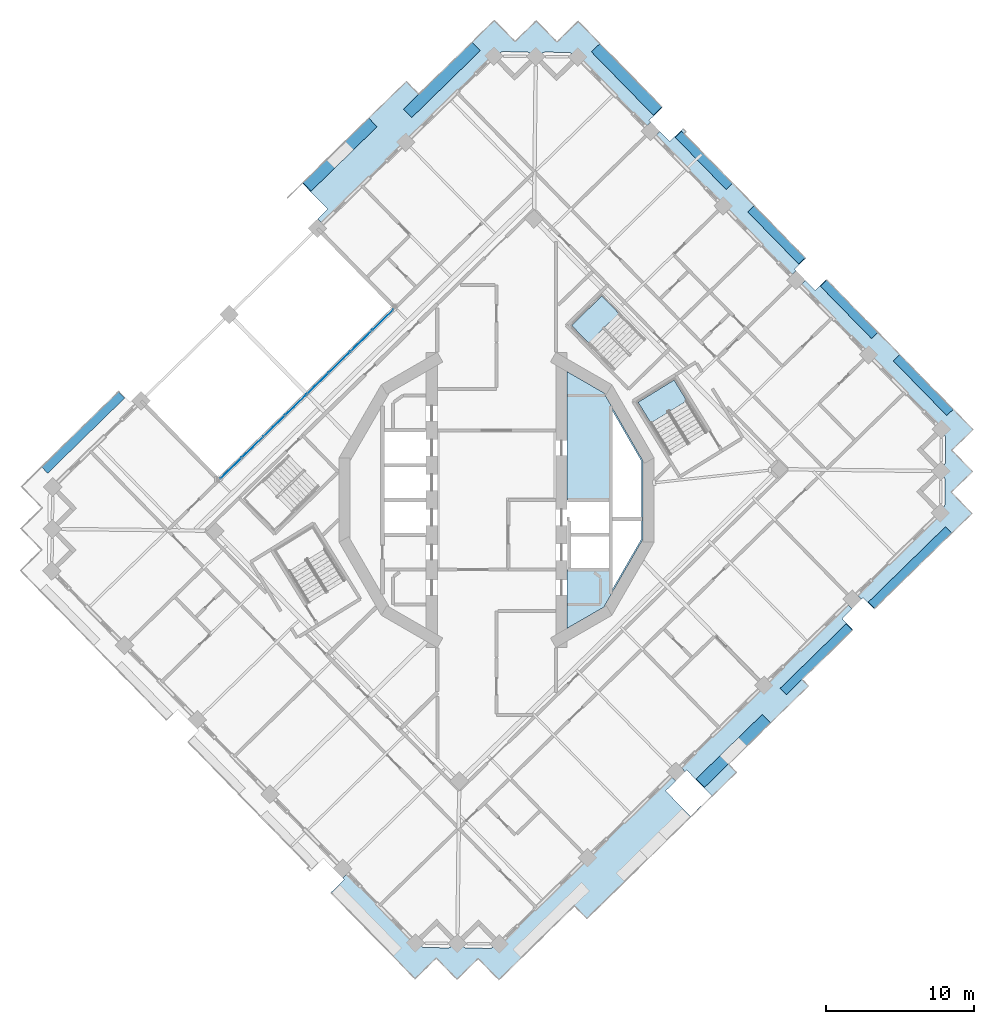
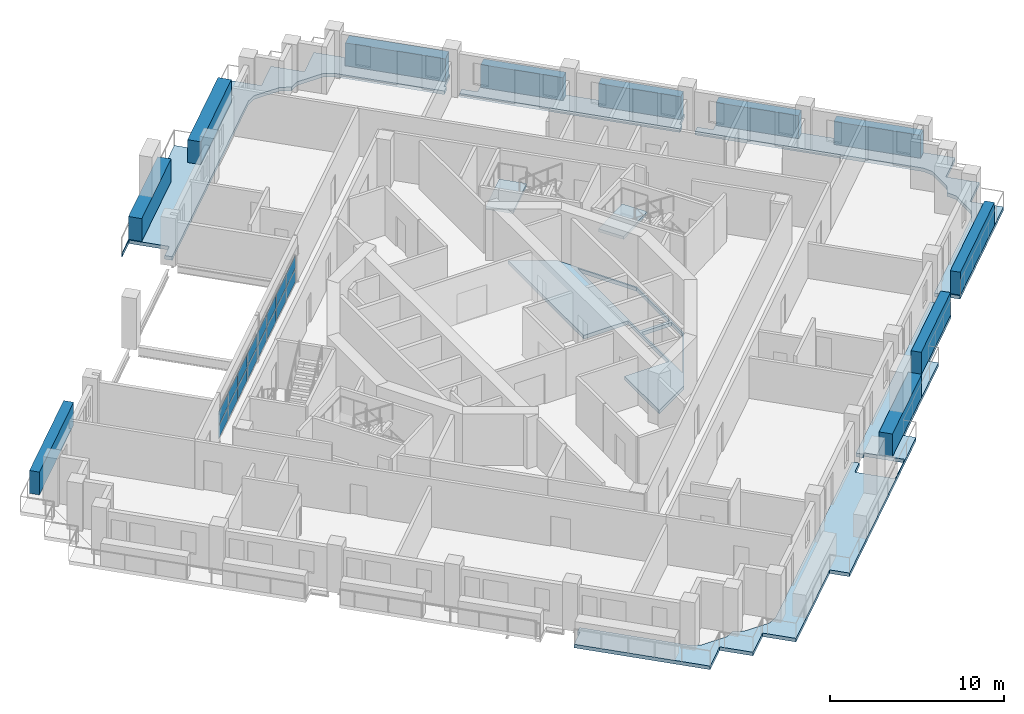
# One storey, part 6 of 21: 27 plates, 7 slabs, 3 elements without a shape of their own.
"""IFC4 building model written with IfcOpenShell, lengths in metres."""

from ifc_helpers import new_model, si_unit, direction, frame, origin, origin_2d, place, context, subcontext, project, spatial, polyline, rectangle, outline, extrude, material, layer, layer_set, type_object, element, aggregate, save


model = new_model("IFC4")

# Units and contexts
model_context = context("Model", 3, precision=1e-05, world=origin(), true_north=direction((0.0, 1.0)))
body_context = subcontext(model_context, "Body", "Model", "MODEL_VIEW")
ifc_project = project(units=[si_unit("LENGTHUNIT", "METRE"), si_unit("AREAUNIT", "SQUARE_METRE"), si_unit("VOLUMEUNIT", "CUBIC_METRE"), si_unit("PLANEANGLEUNIT", "RADIAN"), si_unit("MASSUNIT", "GRAM", prefix="KILO")], contexts=[model_context])

# Site, building, storey
site_placement = place(None, origin())
site = spatial("IfcSite", under=ifc_project, at=site_placement, CompositionType="ELEMENT")
building_placement = place(site_placement, origin())
building = spatial("IfcBuilding", under=site, at=building_placement, Name="Cantera Rosa Tower", CompositionType="ELEMENT")
storey_placement = place(building_placement, frame((0.0, 0.0, 230.60009765625)))
storey = spatial("IfcBuildingStorey", under=building, at=storey_placement, Name="L50", CompositionType="ELEMENT", Elevation=230.60009765625)

# Slab
ifc_material_1 = material(Name="Concrete C35/45", Category="concrete")
ifc_layer_1 = layer(ifc_material_1, 0.25)
ifc_layer_set_1 = layer_set([ifc_layer_1], Name="COMPOSITE FLOOR SLAB 250 C35/45")
slab_type_1 = type_object("IfcSlabType", Name="COMPOSITE FLOOR SLAB 250 C35/45", PredefinedType="FLOOR", material=ifc_layer_set_1)
slab_1_placement = place(storey_placement, frame((0.0, 0.0, -0.25)))
element("IfcSlab", 1, at=slab_1_placement, inside=storey, type_object=slab_type_1, Name="SLAB L50 floor 3", PredefinedType="FLOOR", context=body_context, shape_type="SweptSolid", body=[
    extrude(outline(polyline([(7.699951171875, 0.0), (4.75, 0.0), (4.75, 8.660400390625), (7.22900390625, 7.22900390625), (9.875244140625, 2.64599609375), (9.875244140625, -2.64599609375), (7.22900390625, -7.22900390625), (4.75, -8.660400390625), (4.75, -4.699951171875), (7.699951171875, -4.699951171875), (7.699951171875, -2.35009765625), (7.699951171875, 0.0)]), holes=[polyline([(9.775146484375, -1.3828125), (7.800048828125, -1.3828125), (7.800048828125, -2.25), (7.800048828125, -2.449951171875), (7.800048828125, -6.040283203125), (9.775146484375, -2.619384765625), (9.775146484375, -1.3828125)]), polyline([(9.775146484375, 2.619384765625), (7.800048828125, 6.040283203125), (7.800048828125, 2.449951171875), (7.800048828125, 2.25), (7.800048828125, -1.1826171875), (9.775146484375, -1.1826171875), (9.775146484375, 2.619384765625)])]), origin(), (0.0, 0.0, 1.0), 0.25),
])

# Curtain wall, plates
ifc_material_2 = material(Name="Aluminium frame with clear glass", Category="aluminium")
curtain_wall_type = type_object("IfcCurtainWallType", Name="CW1 TERRACE POCKET GLAZING", PredefinedType="NOTDEFINED", material=ifc_material_2)
curtain_wall_placement = place(storey_placement, origin())
curtain_wall = element("IfcCurtainWall", 2, at=curtain_wall_placement, inside=storey, type_object=curtain_wall_type, Name="CW1 CW1", PredefinedType="NOTDEFINED")
ifc_material_3 = material(Name="Aluminium frame with clear glass", Category="aluminium")
ifc_layer_2 = layer(ifc_material_3, 0.028076171875)
ifc_layer_set_2 = layer_set([ifc_layer_2], Name="CW-PANEL POCKET")
plate_type_1 = type_object("IfcPlateType", Name="CW-PANEL POCKET", PredefinedType="CURTAIN_PANEL", material=ifc_layer_set_2)
plate_1_placement = place(storey_placement, frame((-7.67578125, 12.143310546875, 0.06005859375), z_axis=(0.0, 0.0, 1.0), x_axis=(-0.715286291034, -0.698831540401, 0.0)))
plate_1 = element("IfcPlate", 3, at=plate_1_placement, type_object=plate_type_1, Name="CW1 panel 1.1", PredefinedType="CURTAIN_PANEL", context=body_context, shape_type="SweptSolid", body=[
    extrude(rectangle(XDim=1.958740234375, YDim=0.028076171875, at=origin_2d()), origin(), (0.0, 0.0, 1.0), 0.904052734375),
])
plate_2_placement = place(storey_placement, frame((-7.67578125, 12.143310546875, 1.02392578125), z_axis=(0.0, 0.0, 1.0), x_axis=(-0.715286291034, -0.698831540401, 0.0)))
plate_2 = element("IfcPlate", 4, at=plate_2_placement, type_object=plate_type_1, Name="CW1 panel 1.2", PredefinedType="CURTAIN_PANEL", context=body_context, shape_type="SweptSolid", body=[
    extrude(rectangle(XDim=1.958740234375, YDim=0.028076171875, at=origin_2d()), origin(), (0.0, 0.0, 1.0), 0.904052734375),
])
plate_3_placement = place(storey_placement, frame((-9.130615234375, 10.721923828125, 0.06005859375), z_axis=(0.0, 0.0, 1.0), x_axis=(-0.715286291034, -0.698831540401, 0.0)))
plate_3 = element("IfcPlate", 5, at=plate_3_placement, type_object=plate_type_1, Name="CW1 panel 2.1", PredefinedType="CURTAIN_PANEL", context=body_context, shape_type="SweptSolid", body=[
    extrude(rectangle(XDim=1.98876953125, YDim=0.028076171875, at=origin_2d()), origin(), (0.0, 0.0, 1.0), 0.904052734375),
])
plate_4_placement = place(storey_placement, frame((-9.130615234375, 10.721923828125, 1.02392578125), z_axis=(0.0, 0.0, 1.0), x_axis=(-0.715286291034, -0.698831540401, 0.0)))
plate_4 = element("IfcPlate", 6, at=plate_4_placement, type_object=plate_type_1, Name="CW1 panel 2.2", PredefinedType="CURTAIN_PANEL", context=body_context, shape_type="SweptSolid", body=[
    extrude(rectangle(XDim=1.98876953125, YDim=0.028076171875, at=origin_2d()), origin(), (0.0, 0.0, 1.0), 0.904052734375),
])
plate_5_placement = place(storey_placement, frame((-10.595947265625, 9.290283203125, 0.06005859375), z_axis=(0.0, 0.0, 1.0), x_axis=(-0.715286291034, -0.698831540401, 0.0)))
plate_5 = element("IfcPlate", 7, at=plate_5_placement, type_object=plate_type_1, Name="CW1 panel 3.1", PredefinedType="CURTAIN_PANEL", context=body_context, shape_type="SweptSolid", body=[
    extrude(rectangle(XDim=1.98876953125, YDim=0.028076171875, at=origin_2d()), origin(), (0.0, 0.0, 1.0), 0.904052734375),
])
plate_6_placement = place(storey_placement, frame((-10.595947265625, 9.290283203125, 1.02392578125), z_axis=(0.0, 0.0, 1.0), x_axis=(-0.715286291034, -0.698831540401, 0.0)))
plate_6 = element("IfcPlate", 8, at=plate_6_placement, type_object=plate_type_1, Name="CW1 panel 3.2", PredefinedType="CURTAIN_PANEL", context=body_context, shape_type="SweptSolid", body=[
    extrude(rectangle(XDim=1.98876953125, YDim=0.028076171875, at=origin_2d()), origin(), (0.0, 0.0, 1.0), 0.904052734375),
])
plate_7_placement = place(storey_placement, frame((-12.0615234375, 7.8583984375, 0.06005859375), z_axis=(0.0, 0.0, 1.0), x_axis=(-0.715286291034, -0.698831540401, 0.0)))
plate_7 = element("IfcPlate", 9, at=plate_7_placement, type_object=plate_type_1, Name="CW1 panel 4.1", PredefinedType="CURTAIN_PANEL", context=body_context, shape_type="SweptSolid", body=[
    extrude(rectangle(XDim=1.98876953125, YDim=0.028076171875, at=origin_2d()), origin(), (0.0, 0.0, 1.0), 0.904052734375),
])
plate_8_placement = place(storey_placement, frame((-12.0615234375, 7.8583984375, 1.02392578125), z_axis=(0.0, 0.0, 1.0), x_axis=(-0.715286291034, -0.698831540401, 0.0)))
plate_8 = element("IfcPlate", 10, at=plate_8_placement, type_object=plate_type_1, Name="CW1 panel 4.2", PredefinedType="CURTAIN_PANEL", context=body_context, shape_type="SweptSolid", body=[
    extrude(rectangle(XDim=1.98876953125, YDim=0.028076171875, at=origin_2d()), origin(), (0.0, 0.0, 1.0), 0.904052734375),
])
plate_9_placement = place(storey_placement, frame((-13.52685546875, 6.4267578125, 0.06005859375), z_axis=(0.0, 0.0, 1.0), x_axis=(-0.715286291034, -0.698831540401, 0.0)))
plate_9 = element("IfcPlate", 11, at=plate_9_placement, type_object=plate_type_1, Name="CW1 panel 5.1", PredefinedType="CURTAIN_PANEL", context=body_context, shape_type="SweptSolid", body=[
    extrude(rectangle(XDim=1.98876953125, YDim=0.028076171875, at=origin_2d()), origin(), (0.0, 0.0, 1.0), 0.904052734375),
])
plate_10_placement = place(storey_placement, frame((-13.52685546875, 6.4267578125, 1.02392578125), z_axis=(0.0, 0.0, 1.0), x_axis=(-0.715286291034, -0.698831540401, 0.0)))
plate_10 = element("IfcPlate", 12, at=plate_10_placement, type_object=plate_type_1, Name="CW1 panel 5.2", PredefinedType="CURTAIN_PANEL", context=body_context, shape_type="SweptSolid", body=[
    extrude(rectangle(XDim=1.98876953125, YDim=0.028076171875, at=origin_2d()), origin(), (0.0, 0.0, 1.0), 0.904052734375),
])
plate_11_placement = place(storey_placement, frame((-14.992431640625, 4.9951171875, 0.06005859375), z_axis=(0.0, 0.0, 1.0), x_axis=(-0.715286291034, -0.698831540401, 0.0)))
plate_11 = element("IfcPlate", 13, at=plate_11_placement, type_object=plate_type_1, Name="CW1 panel 6.1", PredefinedType="CURTAIN_PANEL", context=body_context, shape_type="SweptSolid", body=[
    extrude(rectangle(XDim=1.98876953125, YDim=0.028076171875, at=origin_2d()), origin(), (0.0, 0.0, 1.0), 0.904052734375),
])
plate_12_placement = place(storey_placement, frame((-14.992431640625, 4.9951171875, 1.02392578125), z_axis=(0.0, 0.0, 1.0), x_axis=(-0.715286291034, -0.698831540401, 0.0)))
plate_12 = element("IfcPlate", 14, at=plate_12_placement, type_object=plate_type_1, Name="CW1 panel 6.2", PredefinedType="CURTAIN_PANEL", context=body_context, shape_type="SweptSolid", body=[
    extrude(rectangle(XDim=1.98876953125, YDim=0.028076171875, at=origin_2d()), origin(), (0.0, 0.0, 1.0), 0.904052734375),
])
plate_13_placement = place(storey_placement, frame((-16.457763671875, 3.563232421875, 0.06005859375), z_axis=(0.0, 0.0, 1.0), x_axis=(-0.715286291034, -0.698831540401, 0.0)))
plate_13 = element("IfcPlate", 15, at=plate_13_placement, type_object=plate_type_1, Name="CW1 panel 7.1", PredefinedType="CURTAIN_PANEL", context=body_context, shape_type="SweptSolid", body=[
    extrude(rectangle(XDim=1.98876953125, YDim=0.028076171875, at=origin_2d()), origin(), (0.0, 0.0, 1.0), 0.904052734375),
])
plate_14_placement = place(storey_placement, frame((-16.457763671875, 3.563232421875, 1.02392578125), z_axis=(0.0, 0.0, 1.0), x_axis=(-0.715286291034, -0.698831540401, 0.0)))
plate_14 = element("IfcPlate", 16, at=plate_14_placement, type_object=plate_type_1, Name="CW1 panel 7.2", PredefinedType="CURTAIN_PANEL", context=body_context, shape_type="SweptSolid", body=[
    extrude(rectangle(XDim=1.98876953125, YDim=0.028076171875, at=origin_2d()), origin(), (0.0, 0.0, 1.0), 0.904052734375),
])
plate_15_placement = place(storey_placement, frame((-17.91259765625, 2.14208984375, 0.06005859375), z_axis=(0.0, 0.0, 1.0), x_axis=(-0.715286291034, -0.698831540401, 0.0)))
plate_15 = element("IfcPlate", 17, at=plate_15_placement, type_object=plate_type_1, Name="CW1 panel 8.1", PredefinedType="CURTAIN_PANEL", context=body_context, shape_type="SweptSolid", body=[
    extrude(rectangle(XDim=1.958740234375, YDim=0.028076171875, at=origin_2d()), origin(), (0.0, 0.0, 1.0), 0.904052734375),
])
plate_16_placement = place(storey_placement, frame((-17.91259765625, 2.14208984375, 1.02392578125), z_axis=(0.0, 0.0, 1.0), x_axis=(-0.715286291034, -0.698831540401, 0.0)))
plate_16 = element("IfcPlate", 18, at=plate_16_placement, type_object=plate_type_1, Name="CW1 panel 8.2", PredefinedType="CURTAIN_PANEL", context=body_context, shape_type="SweptSolid", body=[
    extrude(rectangle(XDim=1.958740234375, YDim=0.028076171875, at=origin_2d()), origin(), (0.0, 0.0, 1.0), 0.904052734375),
])
aggregate(curtain_wall, [plate_1, plate_2, plate_3, plate_4, plate_5, plate_6, plate_7, plate_8, plate_9, plate_10, plate_11, plate_12, plate_13, plate_14, plate_15, plate_16])

# Slabs
ifc_material_4 = material(Name="Concrete C35/45", Category="concrete")
ifc_layer_3 = layer(ifc_material_4, 0.25)
ifc_layer_set_3 = layer_set([ifc_layer_3], Name="LOGGIA SLAB 250 C35/45")
slab_type_2 = type_object("IfcSlabType", Name="LOGGIA SLAB 250 C35/45", PredefinedType="FLOOR", material=ifc_layer_set_3)
slab_2_placement = place(storey_placement, frame((0.0, 0.0, -0.25)))
element("IfcSlab", 19, at=slab_2_placement, inside=storey, type_object=slab_type_2, Name="LOGGIA SLAB L50 3", PredefinedType="FLOOR", context=body_context, shape_type="SweptSolid", body=[
    extrude(outline(polyline([(-5.25, 27.375), (-1.369873046875, 31.166015625), (-0.15380859375, 32.35400390625), (1.0341796875, 31.13818359375), (1.243896484375, 30.923583984375), (1.45849609375, 31.13330078125), (2.67431640625, 32.3212890625), (3.8623046875, 31.105224609375), (4.072021484375, 30.890625), (4.28662109375, 31.100341796875), (5.502685546875, 32.288330078125), (6.690673828125, 31.072265625), (11.177001953125, 26.480224609375), (10.282958984375, 25.606689453125), (10.3876953125, 25.499267578125), (10.06591796875, 25.184814453125), (5.474609375, 29.88427734375), (4.982666015625, 30.154541015625), (4.956298828125, 30.16748046875), (4.9287109375, 30.177734375), (4.900146484375, 30.185302734375), (4.87109375, 30.18994140625), (4.841796875, 30.191650390625), (3.2861328125, 30.209716796875), (3.2568359375, 30.208740234375), (3.2275390625, 30.20458984375), (3.198974609375, 30.197998046875), (3.171142578125, 30.188232421875), (3.144287109375, 30.176025390625), (2.646484375, 29.917236328125), (2.154541015625, 30.1875), (2.1279296875, 30.200439453125), (2.100341796875, 30.210693359375), (2.072021484375, 30.218017578125), (2.04296875, 30.222900390625), (2.013427734375, 30.224609375), (0.4580078125, 30.24267578125), (0.4287109375, 30.24169921875), (0.3994140625, 30.237548828125), (0.37060546875, 30.230712890625), (0.343017578125, 30.22119140625), (0.316162109375, 30.208984375), (-0.181884765625, 29.9501953125), (-0.883056640625, 29.26513671875), (-11.76220703125, 18.635986328125), (-12.076904296875, 18.9580078125), (-11.397216796875, 19.621826171875), (-13.074462890625, 21.33837890625), (-14.075927734375, 20.360107421875), (-14.107421875, 20.392578125), (-6.08544921875, 28.22998046875), (-5.25, 27.375)])), origin(), (0.0, 0.0, 1.0), 0.25),
])
slab_3_placement = place(storey_placement, frame((0.0, 0.0, -0.25)))
element("IfcSlab", 20, at=slab_3_placement, inside=storey, type_object=slab_type_2, Name="LOGGIA SLAB L50 4", PredefinedType="FLOOR", context=body_context, shape_type="SweptSolid", body=[
    extrude(outline(polyline([(1.369873046875, -31.166015625), (0.15380859375, -32.35400390625), (-1.0341796875, -31.13818359375), (-1.243896484375, -30.923583984375), (-1.45849609375, -31.13330078125), (-2.67431640625, -32.3212890625), (-3.8623046875, -31.105224609375), (-4.072021484375, -30.890625), (-4.28662109375, -31.100341796875), (-5.502685546875, -32.288330078125), (-6.690673828125, -31.072265625), (-11.177001953125, -26.480224609375), (-10.282958984375, -25.606689453125), (-10.3876953125, -25.499267578125), (-10.06591796875, -25.184814453125), (-5.474609375, -29.88427734375), (-4.982666015625, -30.154541015625), (-4.956298828125, -30.16748046875), (-4.9287109375, -30.177734375), (-4.900146484375, -30.185302734375), (-4.87109375, -30.18994140625), (-4.841796875, -30.191650390625), (-3.2861328125, -30.209716796875), (-3.2568359375, -30.208740234375), (-3.2275390625, -30.20458984375), (-3.198974609375, -30.197998046875), (-3.171142578125, -30.188232421875), (-3.144287109375, -30.176025390625), (-2.646484375, -29.917236328125), (-2.154541015625, -30.1875), (-2.1279296875, -30.200439453125), (-2.100341796875, -30.210693359375), (-2.072021484375, -30.218017578125), (-2.04296875, -30.222900390625), (-2.013427734375, -30.224609375), (-0.4580078125, -30.24267578125), (-0.4287109375, -30.24169921875), (-0.3994140625, -30.237548828125), (-0.37060546875, -30.230712890625), (-0.343017578125, -30.22119140625), (-0.316162109375, -30.208984375), (0.181884765625, -29.9501953125), (0.883056640625, -29.26513671875), (11.76220703125, -18.635986328125), (12.076904296875, -18.9580078125), (11.397216796875, -19.621826171875), (13.074462890625, -21.33837890625), (14.505126953125, -19.94091796875), (12.827880859375, -18.22412109375), (12.720703125, -18.3291015625), (12.406005859375, -18.007080078125), (23.664794921875, -7.007568359375), (23.979248046875, -7.329345703125), (23.2998046875, -7.9931640625), (24.035888671875, -8.746826171875), (20.601806640625, -12.101806640625), (21.031982421875, -12.5419921875), (15.635986328125, -17.81396484375), (16.178466796875, -18.369140625), (6.08544921875, -28.22998046875), (5.25, -27.375), (1.369873046875, -31.166015625)])), origin(), (0.0, 0.0, 1.0), 0.25),
])
slab_4_placement = place(storey_placement, frame((0.0, 0.0, -0.25)))
element("IfcSlab", 21, at=slab_4_placement, inside=storey, type_object=slab_type_2, Name="LOGGIA SLAB L50 5", PredefinedType="FLOOR", context=body_context, shape_type="SweptSolid", body=[
    extrude(outline(polyline([(17.42724609375, 19.81689453125), (17.417236328125, 19.806884765625), (20.216796875, 16.94140625), (20.845703125, 16.2978515625), (20.094482421875, 15.56396484375), (20.199462890625, 15.456787109375), (19.87744140625, 15.14208984375), (10.69482421875, 24.541015625), (11.016845703125, 24.855712890625), (11.6806640625, 24.176025390625), (12.57470703125, 25.049560546875), (12.784423828125, 24.8349609375), (12.6513671875, 24.705078125), (17.42724609375, 19.81689453125)])), origin(), (0.0, 0.0, 1.0), 0.25),
])
slab_5_placement = place(storey_placement, frame((0.0, 0.0, -0.25)))
element("IfcSlab", 22, at=slab_5_placement, inside=storey, type_object=slab_type_2, Name="LOGGIA SLAB L50 6", PredefinedType="FLOOR", context=body_context, shape_type="SweptSolid", body=[
    extrude(outline(polyline([(27.218994140625, 9.7744140625), (31.076416015625, 5.825927734375), (32.124755859375, 4.753173828125), (31.0517578125, 3.704833984375), (30.694091796875, 3.35546875), (31.043701171875, 2.997802734375), (32.091796875, 1.9248046875), (31.018798828125, 0.876708984375), (30.661376953125, 0.527099609375), (31.0107421875, 0.16943359375), (32.05908203125, -0.9033203125), (30.986083984375, -1.95166015625), (26.110107421875, -6.71533203125), (26.11279296875, -6.7177734375), (25.46630859375, -7.34912109375), (24.730224609375, -6.595703125), (24.622802734375, -6.700439453125), (24.30859375, -6.37841796875), (29.937744140625, -0.878662109375), (30.2080078125, -0.386962890625), (30.220947265625, -0.3603515625), (30.231201171875, -0.332763671875), (30.23876953125, -0.30419921875), (30.243408203125, -0.275146484375), (30.2451171875, -0.245849609375), (30.26318359375, 1.309814453125), (30.26220703125, 1.339111328125), (30.25830078125, 1.368408203125), (30.25146484375, 1.39697265625), (30.24169921875, 1.4248046875), (30.2294921875, 1.451416015625), (29.970703125, 1.949462890625), (30.240966796875, 2.44140625), (30.25390625, 2.4677734375), (30.26416015625, 2.495361328125), (30.271484375, 2.52392578125), (30.2763671875, 2.552978515625), (30.278076171875, 2.58251953125), (30.296142578125, 4.137939453125), (30.295166015625, 4.167236328125), (30.291015625, 4.196533203125), (30.2841796875, 4.22509765625), (30.274658203125, 4.2529296875), (30.262451171875, 4.27978515625), (30.003662109375, 4.777587890625), (20.506591796875, 14.49853515625), (20.828369140625, 14.81298828125), (21.4921875, 14.13330078125), (22.243408203125, 14.8671875), (22.313232421875, 14.795654296875), (25.12255859375, 11.920166015625), (27.218994140625, 9.7744140625)])), origin(), (0.0, 0.0, 1.0), 0.25),
])

# Plates
ifc_material_5 = material(Name="Cantera stone planter with soil", Category="masonry")
plate_type_2 = type_object("IfcPlateType", Name="PLANTER 600", PredefinedType="USERDEFINED", material=ifc_material_5)
plate_17_placement = place(storey_placement, frame((28.77587890625, 7.75146484375, -0.000244140625), z_axis=(0.0, 0.0, 1.0), x_axis=(-0.698831540364, 0.71528629107, 0.0)))
element("IfcPlate", 23, at=plate_17_placement, inside=storey, type_object=plate_type_2, Name="PLANTER L50-01", ObjectType="PLANTER", PredefinedType="USERDEFINED", context=body_context, shape_type="SweptSolid", body=[
    extrude(rectangle(XDim=5.169921875, YDim=0.60009765625, at=origin_2d()), origin(), (0.0, 0.0, 1.0), 1.60009765625),
])
for number, where, z_axis, x_axis, name in (
    (24, (23.78271484375, 12.8623046875, -0.000244140625), (0.0, 0.0, 1.0), (-0.698831540364, 0.71528629107, 0.0), "PLANTER L50-02"),
    (25, (18.876953125, 17.883544921875, -0.000244140625), (0.0, 0.0, 1.0), (-0.698831540364, 0.71528629107, 0.0), "PLANTER L50-03"),
    (26, (13.981201171875, 22.91455078125, -0.000244140625), (0.0, 0.0, 1.0), (-0.698831540364, 0.71528629107, 0.0), "PLANTER L50-04"),
):
    element("IfcPlate", number, at=place(storey_placement, frame(where, z_axis=z_axis, x_axis=x_axis)), inside=storey, type_object=plate_type_2, Name=name, ObjectType="PLANTER", PredefinedType="USERDEFINED", context=body_context, shape_type="SweptSolid", body=[
        extrude(rectangle(XDim=4.919921875, YDim=0.60009765625, at=origin_2d()), origin(), (0.0, 0.0, 1.0), 1.60009765625),
    ])
plate_18_placement = place(storey_placement, frame((-27.89013671875, 4.556884765625, -0.000244140625), z_axis=(0.0, 0.0, 1.0), x_axis=(-0.71528629107, -0.698831540364, 0.0)))
element("IfcPlate", 27, at=plate_18_placement, inside=storey, type_object=plate_type_2, Name="PLANTER L50-10", ObjectType="PLANTER", PredefinedType="USERDEFINED", context=body_context, shape_type="SweptSolid", body=[
    extrude(rectangle(XDim=7.27001953125, YDim=0.60009765625, at=origin_2d()), origin(), (0.0, 0.0, 1.0), 1.60009765625),
])
plate_19_placement = place(storey_placement, frame((21.56591796875, -10.740478515625, -0.000244140625), z_axis=(0.0, 0.0, 1.0), x_axis=(0.71528629107, 0.698831540364, 0.0)))
element("IfcPlate", 28, at=plate_19_placement, inside=storey, type_object=plate_type_2, Name="PLANTER L50-19", ObjectType="PLANTER", PredefinedType="USERDEFINED", context=body_context, shape_type="SweptSolid", body=[
    extrude(rectangle(XDim=6.219970703125, YDim=0.60009765625, at=origin_2d()), origin(), (0.0, 0.0, 1.0), 1.60009765625),
])
plate_20_placement = place(storey_placement, frame((27.89013671875, -4.556884765625, -0.000244140625), z_axis=(0.0, 0.0, 1.0), x_axis=(0.71528629107, 0.698831540364, 0.0)))
element("IfcPlate", 29, at=plate_20_placement, inside=storey, type_object=plate_type_2, Name="PLANTER L50-20", ObjectType="PLANTER", PredefinedType="USERDEFINED", context=body_context, shape_type="SweptSolid", body=[
    extrude(rectangle(XDim=7.27001953125, YDim=0.60009765625, at=origin_2d()), origin(), (0.0, 0.0, 1.0), 1.60009765625),
])
ifc_material_6 = material(Name="Cantera stone planter with soil", Category="masonry")
plate_type_3 = type_object("IfcPlateType", Name="PLANTER 800", PredefinedType="USERDEFINED", material=ifc_material_6)
plate_21_placement = place(storey_placement, frame((8.77001953125, 28.37158203125, -0.000244140625), z_axis=(0.0, 0.0, 1.0), x_axis=(-0.698831540364, 0.71528629107, 0.0)))
element("IfcPlate", 30, at=plate_21_placement, inside=storey, type_object=plate_type_3, Name="PLANTER L50-05", ObjectType="PLANTER", PredefinedType="USERDEFINED", context=body_context, shape_type="SweptSolid", body=[
    extrude(rectangle(XDim=5.969970703125, YDim=0.800048828125, at=origin_2d()), origin(), (0.0, 0.0, 1.0), 1.60009765625),
])
plate_22_placement = place(storey_placement, frame((-3.6904296875, 28.33984375, -0.000244140625), z_axis=(0.0, 0.0, 1.0), x_axis=(-0.71528629107, -0.698831540364, 0.0)))
element("IfcPlate", 31, at=plate_22_placement, inside=storey, type_object=plate_type_3, Name="PLANTER L50-06", ObjectType="PLANTER", PredefinedType="USERDEFINED", context=body_context, shape_type="SweptSolid", body=[
    extrude(rectangle(XDim=6.469970703125, YDim=0.800048828125, at=origin_2d()), origin(), (0.0, 0.0, 1.0), 1.60009765625),
])
for number, where, z_axis, x_axis, name in (
    (32, (-10.56640625, 23.29296875, -0.000244140625), (0.0, 0.0, 1.0), (-0.71528629107, -0.698831540364, 0.0), "PLANTER L50-07"),
    (33, (15.97509765625, -16.923583984375, -0.000244140625), (0.0, 0.0, 1.0), (0.71528629107, 0.698831540364, 0.0), "PLANTER L50-18"),
):
    element("IfcPlate", number, at=place(storey_placement, frame(where, z_axis=z_axis, x_axis=x_axis)), inside=storey, type_object=plate_type_3, Name=name, ObjectType="PLANTER", PredefinedType="USERDEFINED", context=body_context, shape_type="SweptSolid", body=[
        extrude(rectangle(XDim=6.219970703125, YDim=0.800048828125, at=origin_2d()), origin(), (0.0, 0.0, 1.0), 1.60009765625),
    ])

# Stair, slab
ifc_material_7 = material(Name="Concrete C35/45", Category="concrete")
stair_type = type_object("IfcStairType", Name="EXIT STAIR 1350 DOGLEG", PredefinedType="HALF_TURN_STAIR", material=ifc_material_7)
stair_1_placement = place(storey_placement, origin())
stair_1 = element("IfcStair", 34, at=stair_1_placement, inside=storey, type_object=stair_type, Name="L50 ST-41", PredefinedType="HALF_TURN_STAIR")
ifc_material_8 = material(Name="Concrete C35/45", Category="concrete")
ifc_layer_4 = layer(ifc_material_8, 0.199951171875)
ifc_layer_set_4 = layer_set([ifc_layer_4], Name="STAIR LANDING 200")
slab_type_3 = type_object("IfcSlabType", Name="STAIR LANDING 200", PredefinedType="LANDING", material=ifc_layer_set_4)
slab_6_placement = place(storey_placement, frame((0.0, 0.0, 1.599853515625)))
slab_6 = element("IfcSlab", 35, at=slab_6_placement, type_object=slab_type_3, Name="ST-41 landing 1", PredefinedType="LANDING", context=body_context, shape_type="SweptSolid", body=[
    extrude(outline(polyline([(12.8310546875, 6.691162109375), (11.96923828125, 8.088623046875), (9.54345703125, 6.592529296875), (10.405517578125, 5.19482421875), (12.8310546875, 6.691162109375)])), origin(), (0.0, 0.0, 1.0), 0.199951171875),
])
aggregate(stair_1, [slab_6])

stair_2_placement = place(storey_placement, origin())
stair_2 = element("IfcStair", 36, at=stair_2_placement, inside=storey, type_object=stair_type, Name="L50 ST-42", PredefinedType="HALF_TURN_STAIR")
slab_7_placement = place(storey_placement, frame((0.0, 0.0, 1.599853515625)))
slab_7 = element("IfcSlab", 37, at=slab_7_placement, type_object=slab_type_3, Name="ST-42 landing 1", PredefinedType="LANDING", context=body_context, shape_type="SweptSolid", body=[
    extrude(outline(polyline([(8.244873046875, 12.58837890625), (7.097412109375, 13.762939453125), (5.058837890625, 11.771240234375), (6.206298828125, 10.5966796875), (8.244873046875, 12.58837890625)])), origin(), (0.0, 0.0, 1.0), 0.199951171875),
])
aggregate(stair_2, [slab_7])

save(model, "model.ifc")
